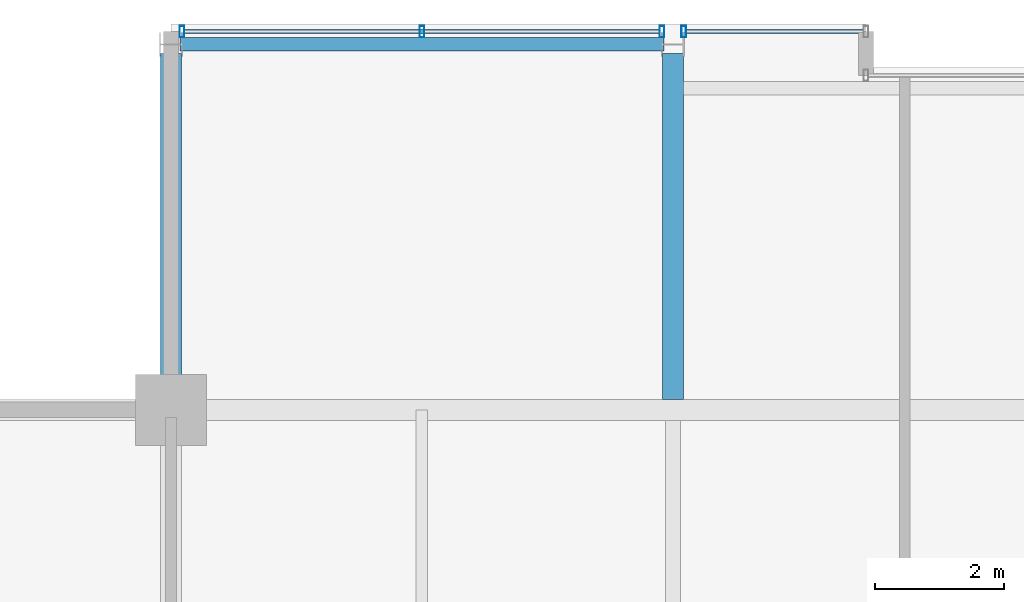
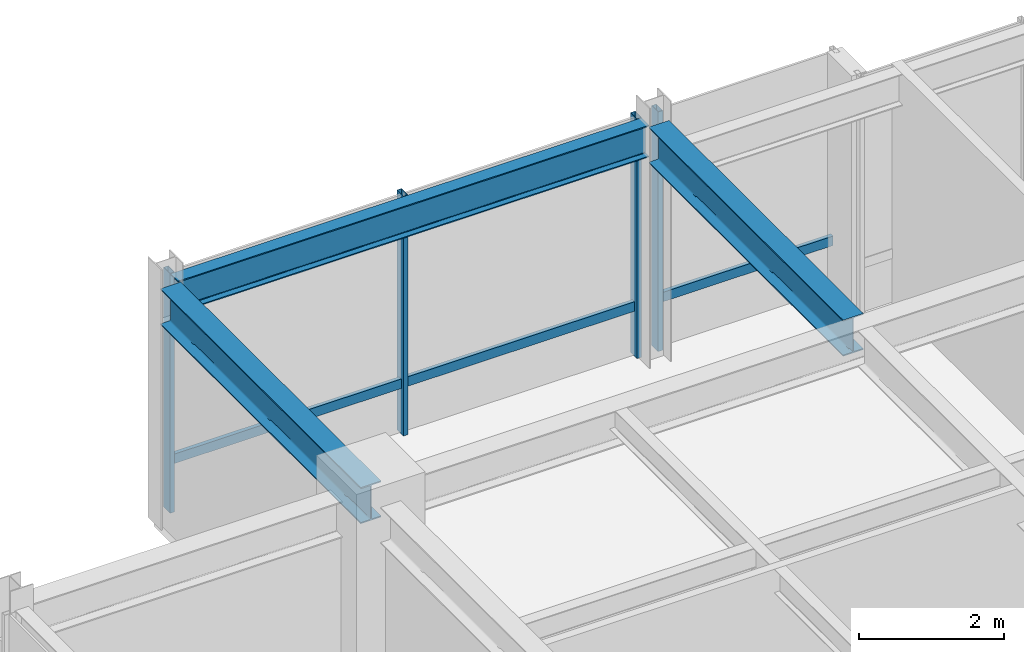
# One storey, part 22 of 33: 6 members, 3 beams, 2 elements without a shape of their own.
"""IFC4 building model written with IfcOpenShell, lengths in metres."""

from ifc_helpers import new_model, si_unit, direction, frame, origin, origin_2d, place, context, subcontext, project, spatial, hollow_rectangle, i_section, extrude, material, layer, layer_set, material_profile, profile_set, type_object, element, aggregate, save


model = new_model("IFC4")

# Units and contexts
model_context = context("Model", 3, precision=1e-05, world=origin(), true_north=direction((0.0, 1.0)))
body_context = subcontext(model_context, "Body", "Model", "MODEL_VIEW")
ifc_project = project(units=[si_unit("LENGTHUNIT", "METRE"), si_unit("AREAUNIT", "SQUARE_METRE"), si_unit("VOLUMEUNIT", "CUBIC_METRE"), si_unit("PLANEANGLEUNIT", "RADIAN"), si_unit("MASSUNIT", "GRAM", prefix="KILO")], contexts=[model_context])

# Site, building, storey
site_placement = place(None, origin())
site = spatial("IfcSite", under=ifc_project, at=site_placement, CompositionType="ELEMENT")
building_placement = place(site_placement, origin())
building = spatial("IfcBuilding", under=site, at=building_placement, Name="Drelvath Grand Hotel", CompositionType="ELEMENT")
storey_placement = place(building_placement, frame((0.0, 0.0, 298.60009765625)))
storey = spatial("IfcBuildingStorey", under=building, at=storey_placement, Name="L78", CompositionType="ELEMENT", Elevation=298.60009765625)

# Curtain wall, member
ifc_material_1 = material(Name="Platinum-Mist Anodised Aluminium Frame", Category="aluminium")
ifc_layer = layer(ifc_material_1, 0.199951171875)
ifc_layer_set = layer_set([ifc_layer], Name="Platinum-Mist Anodised Aluminium Frame")
curtain_wall_type = type_object("IfcCurtainWallType", Name="Stick Curtain Wall CW-05 Platinum Mist High-Rise", PredefinedType="NOTDEFINED", material=ifc_layer_set)
curtain_wall_1_placement = place(storey_placement, origin())
curtain_wall_1 = element("IfcCurtainWall", 1, at=curtain_wall_1_placement, inside=storey, type_object=curtain_wall_type, Name="L78 CW-05 Curtain Wall CW05-L78-NW1", PredefinedType="NOTDEFINED")
ifc_material_profile_1 = material_profile(ifc_material_1, hollow_rectangle(XDim=0.06494140625, YDim=0.159912109375, WallThickness=0.00390625, at=origin_2d()), Name="HSS160X65X4")
ifc_profile_set_1 = profile_set([ifc_material_profile_1], Name="Platinum-Mist Anodised Aluminium Frame")
member_type_1 = type_object("IfcMemberType", Name="Curtain Wall Horizontal Transom CW-05 HSS160X65X4", PredefinedType="USERDEFINED", material=ifc_profile_set_1)
member_1_placement = place(storey_placement, frame((-15.989990234375, 49.080078125, 0.849853515625), z_axis=(1.0, 0.0, 0.0), x_axis=(0.0, 1.0, 0.0)))
member_1 = element("IfcMember", 2, at=member_1_placement, type_object=member_type_1, Name="CW05-L78-NW1 Sill Transom", ObjectType="TRANSOM", PredefinedType="USERDEFINED", context=body_context, shape_type="SweptSolid", body=[
    extrude(hollow_rectangle(XDim=0.06494140625, YDim=0.159912109375, WallThickness=0.00390625, at=origin_2d()), origin(), (0.0, 0.0, 1.0), 7.3798828125),
])

curtain_wall_2_placement = place(storey_placement, origin())
curtain_wall_2 = element("IfcCurtainWall", 3, at=curtain_wall_2_placement, inside=storey, type_object=curtain_wall_type, Name="L78 CW-05 Curtain Wall CW05-L78-NW2", PredefinedType="NOTDEFINED")
member_2_placement = place(storey_placement, frame((-8.18994140625, 49.080078125, 0.849853515625), z_axis=(1.0, 0.0, 0.0), x_axis=(0.0, 1.0, 0.0)))
member_2 = element("IfcMember", 4, at=member_2_placement, type_object=member_type_1, Name="CW05-L78-NW2 Sill Transom", ObjectType="TRANSOM", PredefinedType="USERDEFINED", context=body_context, shape_type="SweptSolid", body=[
    extrude(hollow_rectangle(XDim=0.06494140625, YDim=0.159912109375, WallThickness=0.00390625, at=origin_2d()), origin(), (0.0, 0.0, 1.0), 2.75),
])

# Member
ifc_material_profile_2 = material_profile(ifc_material_1, hollow_rectangle(XDim=0.074951171875, YDim=0.179931640625, WallThickness=0.0048828125, at=origin_2d()), Name="HSS180X75X5")
ifc_profile_set_2 = profile_set([ifc_material_profile_2], Name="Platinum-Mist Anodised Aluminium Frame")
member_type_2 = type_object("IfcMemberType", Name="Curtain Wall Vertical Mullion CW-05 HSS180X75X5", PredefinedType="MULLION", material=ifc_profile_set_2)
member_3_placement = place(storey_placement, frame((-16.02978515625, 49.080078125, 0.0), z_axis=(0.0, 0.0, 1.0), x_axis=(1.0, 0.0, 0.0)))
member_3 = element("IfcMember", 5, at=member_3_placement, type_object=member_type_2, Name="CW05-L78-NW1 Mullion 1", PredefinedType="MULLION", context=body_context, shape_type="SweptSolid", body=[
    extrude(hollow_rectangle(XDim=0.074951171875, YDim=0.179931640625, WallThickness=0.0048828125, at=origin_2d()), origin(), (0.0, 0.0, 1.0), 4.0498046875),
])

member_4_placement = place(storey_placement, frame((-12.300048828125, 49.080078125, 0.0), z_axis=(0.0, 0.0, 1.0), x_axis=(1.0, 0.0, 0.0)))
member_4 = element("IfcMember", 6, at=member_4_placement, type_object=member_type_2, Name="CW05-L78-NW1 Mullion 2", PredefinedType="MULLION", context=body_context, shape_type="SweptSolid", body=[
    extrude(hollow_rectangle(XDim=0.074951171875, YDim=0.179931640625, WallThickness=0.0048828125, at=origin_2d()), origin(), (0.0, 0.0, 1.0), 4.0498046875),
])

member_5_placement = place(storey_placement, frame((-8.570068359375, 49.080078125, 0.0), z_axis=(0.0, 0.0, 1.0), x_axis=(1.0, 0.0, 0.0)))
member_5 = element("IfcMember", 7, at=member_5_placement, type_object=member_type_2, Name="CW05-L78-NW1 Mullion 3", PredefinedType="MULLION", context=body_context, shape_type="SweptSolid", body=[
    extrude(hollow_rectangle(XDim=0.074951171875, YDim=0.179931640625, WallThickness=0.0048828125, at=origin_2d()), origin(), (0.0, 0.0, 1.0), 4.0498046875),
])

aggregate(curtain_wall_1, [member_3, member_4, member_5, member_1])

member_6_placement = place(storey_placement, frame((-8.22998046875, 49.080078125, 0.0), z_axis=(0.0, 0.0, 1.0), x_axis=(1.0, 0.0, 0.0)))
member_6 = element("IfcMember", 8, at=member_6_placement, type_object=member_type_2, Name="CW05-L78-NW2 Mullion 1", PredefinedType="MULLION", context=body_context, shape_type="SweptSolid", body=[
    extrude(hollow_rectangle(XDim=0.074951171875, YDim=0.179931640625, WallThickness=0.0048828125, at=origin_2d()), origin(), (0.0, 0.0, 1.0), 4.0498046875),
])

aggregate(curtain_wall_2, [member_6, member_2])

# Beams
ifc_material_2 = material(Name="Steel ASTM A992 Gr 50", Category="steel")
ifc_material_profile_3 = material_profile(ifc_material_2, i_section(OverallWidth=0.210205078125, OverallDepth=0.53662109375, WebThickness=0.010986328125, FlangeThickness=0.017333984375, FilletRadius=0.01806640625, at=origin_2d()), Name="W21X68")
ifc_profile_set_3 = profile_set([ifc_material_profile_3], Name="Steel ASTM A992 Gr 50")
beam_type_1 = type_object("IfcBeamType", Name="Perimeter Spandrel Beam W21X68", PredefinedType="SPANDREL", material=ifc_profile_set_3)
beam_1_placement = place(storey_placement, frame((-16.06005859375, 48.8798828125, 3.781494140625), z_axis=(1.0, 0.0, 0.0), x_axis=(0.0, 1.0, 0.0)))
element("IfcBeam", 9, at=beam_1_placement, inside=storey, type_object=beam_type_1, Name="L78 Spandrel North W", PredefinedType="SPANDREL", context=body_context, shape_type="SweptSolid", body=[
    extrude(i_section(OverallWidth=0.210205078125, OverallDepth=0.53662109375, WebThickness=0.010986328125, FlangeThickness=0.017333984375, FilletRadius=0.01806640625, at=origin_2d()), origin(), (0.0, 0.0, 1.0), 7.52001953125),
])
ifc_material_profile_4 = material_profile(ifc_material_2, i_section(OverallWidth=0.323974609375, OverallDepth=0.611083984375, WebThickness=0.0126953125, FlangeThickness=0.01904296875, FilletRadius=0.02197265625, at=origin_2d()), Name="W24X104")
ifc_profile_set_4 = profile_set([ifc_material_profile_4], Name="Steel ASTM A992 Gr 50")
beam_type_2 = type_object("IfcBeamType", Name="Primary Floor Girder W24X104", PredefinedType="BEAM", material=ifc_profile_set_4)
beam_2_placement = place(storey_placement, frame((-16.199951171875, 43.199951171875, 3.744384765625), z_axis=(0.0, 1.0, 0.0), x_axis=(-1.0, 0.0, 0.0)))
element("IfcBeam", 10, at=beam_2_placement, inside=storey, type_object=beam_type_2, Name="L78 North Grid Girder 3", PredefinedType="BEAM", context=body_context, shape_type="SweptSolid", body=[
    extrude(i_section(OverallWidth=0.323974609375, OverallDepth=0.611083984375, WebThickness=0.0126953125, FlangeThickness=0.01904296875, FilletRadius=0.02197265625, at=origin_2d()), origin(), (0.0, 0.0, 1.0), 5.5400390625),
])
beam_3_placement = place(storey_placement, frame((-8.39990234375, 43.362060546875, 3.744384765625), z_axis=(0.0, 1.0, 0.0), x_axis=(-1.0, 0.0, 0.0)))
element("IfcBeam", 11, at=beam_3_placement, inside=storey, type_object=beam_type_2, Name="L78 North Wing Girder 4", PredefinedType="BEAM", context=body_context, shape_type="SweptSolid", body=[
    extrude(i_section(OverallWidth=0.323974609375, OverallDepth=0.611083984375, WebThickness=0.0126953125, FlangeThickness=0.01904296875, FilletRadius=0.02197265625, at=origin_2d()), origin(), (0.0, 0.0, 1.0), 5.3779296875),
])

save(model, "model.ifc")
